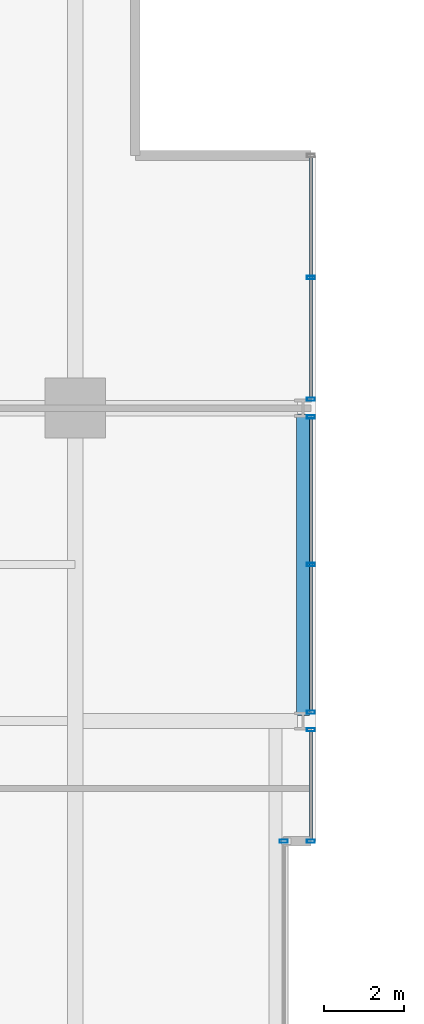
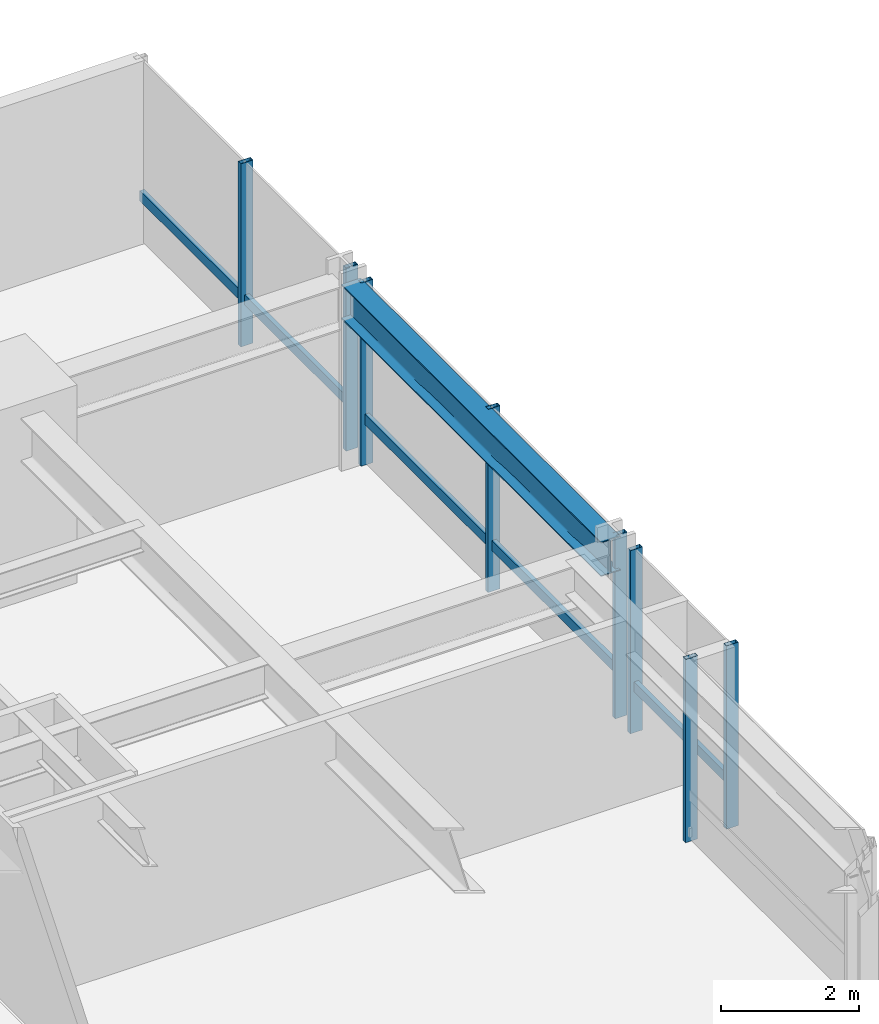
# One storey, part 24 of 34: 11 members, 1 beam, 4 elements without a shape of their own.
"""IFC4 building model written with IfcOpenShell, lengths in metres."""

import ifcopenshell
import ifcopenshell.guid

model = None  # the IFC model being written
_history = None  # IfcOwnerHistory: only IFC2X3 demands one
_inside = {}  # id of a spatial element -> (the spatial element, [elements in it])
_under = {}  # id of a project, library or spatial element -> (it, [spatial elements below it])
_declared = {}  # id of a project -> (the project, [libraries it declares])
_typed = {}  # id of a type object -> (the type object, [elements of that type])
_made_of = {}  # id of a material, layer set ... -> (it, [elements and type objects made of it])


def new_model(schema):
    """Start an empty IFC model of exactly this schema.

    Asked for "IFC4X3", IfcOpenShell would pick the latest addendum, in which some entities
    have other attributes; the version numbers below select the first issue.
    IFC2X3 requires an IfcOwnerHistory on every rooted entity: one is made here for all.
    """
    global model, _history
    if schema == "IFC4X3":
        model = ifcopenshell.file(schema_version=(4, 3, 0, 0))
    else:
        model = ifcopenshell.file(schema=schema)
    _inside.clear()
    _under.clear()
    _declared.clear()
    _typed.clear()
    _made_of.clear()
    _history = None
    if model.schema == "IFC2X3":
        org = make("IfcOrganization", Name="unknown")
        user = make(
            "IfcPersonAndOrganization",
            ThePerson=make("IfcPerson", FamilyName="unknown"),
            TheOrganization=org,
        )
        app = make(
            "IfcApplication",
            ApplicationDeveloper=org,
            Version="unknown",
            ApplicationFullName="unknown",
            ApplicationIdentifier="unknown",
        )
        _history = make(
            "IfcOwnerHistory",
            OwningUser=user,
            OwningApplication=app,
            ChangeAction="ADDED",
            CreationDate=0,
        )
    return model


def make(cls, **values):
    """One entity of the class cls with the attributes given. An attribute that is None is left unset."""
    return model.create_entity(
        cls, **{name: value for name, value in values.items() if value is not None}
    )


def rooted(cls, **values):
    """An entity with a GlobalId (a new one), such as an element, a storey or a relation."""
    return make(cls, GlobalId=ifcopenshell.guid.new(), OwnerHistory=_history, **values)


def si_unit(unit_type, name, prefix=None):
    """IfcSIUnit, for example si_unit("LENGTHUNIT", "METRE", prefix="MILLI")."""
    return make("IfcSIUnit", UnitType=unit_type, Prefix=prefix, Name=name)


def assignment(units):
    """IfcUnitAssignment: the units of a project."""
    return None if units is None else make("IfcUnitAssignment", Units=units)


def point(xyz):
    """IfcCartesianPoint."""
    return None if xyz is None else make("IfcCartesianPoint", Coordinates=xyz)


def direction(xyz):
    """IfcDirection."""
    return None if xyz is None else make("IfcDirection", DirectionRatios=xyz)


def frame(location, z_axis=None, x_axis=None):
    """IfcAxis2Placement3D, a coordinate frame: its origin and axes. An axis left out is left unset."""
    return make(
        "IfcAxis2Placement3D",
        Location=point(location),
        Axis=direction(z_axis),
        RefDirection=direction(x_axis),
    )


def frame_2d(location, x_axis=None):
    """IfcAxis2Placement2D, a coordinate frame in the plane: its origin and x axis."""
    return make(
        "IfcAxis2Placement2D", Location=point(location), RefDirection=direction(x_axis)
    )


def origin():
    """The frame at (0, 0, 0) with its axes left unset."""
    return frame((0.0, 0.0, 0.0))


def origin_2d():
    """The frame at (0, 0) in the plane with its x axis left unset."""
    return frame_2d((0.0, 0.0))


def place(relative_to, where):
    """IfcLocalPlacement: puts the frame where relative to a parent placement (None: the world)."""
    return make(
        "IfcLocalPlacement", PlacementRelTo=relative_to, RelativePlacement=where
    )


def context(
    kind, dimensions, precision=None, world=None, true_north=None, identifier=None
):
    """IfcGeometricRepresentationContext, for example the 3D "Model" context."""
    return make(
        "IfcGeometricRepresentationContext",
        ContextIdentifier=identifier,
        ContextType=kind,
        CoordinateSpaceDimension=dimensions,
        Precision=precision,
        WorldCoordinateSystem=world,
        TrueNorth=true_north,
    )


def subcontext(parent, identifier, kind, view, scale=None):
    """IfcGeometricRepresentationSubContext, for example "Body" below "Model"."""
    return make(
        "IfcGeometricRepresentationSubContext",
        ContextIdentifier=identifier,
        ContextType=kind,
        ParentContext=parent,
        TargetScale=scale,
        TargetView=view,
    )


def project(units=None, contexts=None):
    """IfcProject with its units and contexts."""
    return rooted(
        "IfcProject",
        Name="project",
        RepresentationContexts=contexts,
        UnitsInContext=assignment(units),
    )


def spatial(cls, under=None, at=None, **own):
    """A site, building, storey or space (cls), placed at a placement, below another one or the project."""
    s = rooted(cls, ObjectPlacement=at, **own)
    if under is not None:
        _under.setdefault(under.id(), (under, []))[1].append(s)
    return s


def profile(cls, at=None, kind="AREA", **sizes):
    """A parametric profile (cls). Its sizes go by their IFC names, for example OverallWidth=200.0."""
    return make(cls, ProfileType=kind, Position=at, **sizes)


def hollow_rectangle(**sizes):
    """IfcRectangleHollowProfileDef."""
    return profile("IfcRectangleHollowProfileDef", **sizes)


def i_section(**sizes):
    """IfcIShapeProfileDef."""
    return profile("IfcIShapeProfileDef", **sizes)


def extrude(swept, where, along, depth):
    """IfcExtrudedAreaSolid: the profile swept, set in the frame where, extruded along a direction by depth."""
    return make(
        "IfcExtrudedAreaSolid",
        SweptArea=swept,
        Position=where,
        ExtrudedDirection=direction(along),
        Depth=depth,
    )


def shape(context_of_items, identifier, shape_type, items):
    """IfcShapeRepresentation: the items that make up one representation, for example the "Body"."""
    return make(
        "IfcShapeRepresentation",
        ContextOfItems=context_of_items,
        RepresentationIdentifier=identifier,
        RepresentationType=shape_type,
        Items=items,
    )


def material(Name=None, Category=None):
    """IfcMaterial."""
    return make("IfcMaterial", Name=Name, Category=Category)


def layer(
    of_material, thickness, ventilated=None, Name=None, Category=None, Priority=None
):
    """IfcMaterialLayer: one layer of a wall or slab, of a material (None: an air gap)."""
    return make(
        "IfcMaterialLayer",
        Material=of_material,
        LayerThickness=thickness,
        IsVentilated=ventilated,
        Name=Name,
        Category=Category,
        Priority=Priority,
    )


def layer_set(layers, Name=None):
    """IfcMaterialLayerSet."""
    return make("IfcMaterialLayerSet", MaterialLayers=layers, LayerSetName=Name)


def material_profile(
    of_material, cross_section, Name=None, Category=None, Priority=None
):
    """IfcMaterialProfile: a cross section and its material."""
    return make(
        "IfcMaterialProfile",
        Name=Name,
        Material=of_material,
        Profile=cross_section,
        Priority=Priority,
        Category=Category,
    )


def profile_set(profiles, Name=None, composite=None):
    """IfcMaterialProfileSet."""
    return make(
        "IfcMaterialProfileSet",
        Name=Name,
        MaterialProfiles=profiles,
        CompositeProfile=composite,
    )


def made_of(thing, what):
    """Note that an element or type object is made of a material, layer set ...; save() writes the relation."""
    if what is not None:
        _made_of.setdefault(what.id(), (what, []))[1].append(thing)
    return thing


def type_object(cls, material=None, **own):
    """A type object (cls), such as IfcWallType, which elements share."""
    return made_of(rooted(cls, **own), material)


def element(
    cls,
    number,
    at=None,
    inside=None,
    cuts=None,
    type_object=None,
    material=None,
    context=None,
    identifier="Body",
    shape_type=None,
    held_by="IfcProductDefinitionShape",
    body=None,
    shapes=None,
    **own,
):
    """One element of the class cls, such as IfcWall. Its Tag is "e" and its number.

    at: its placement. inside: the storey or other place that contains it. cuts: it is an
    opening in that element (IfcRelVoidsElement). A single representation is given by context,
    identifier, shape_type and body (its items); several are given by shapes. held_by: the class
    of the entity that holds the representations. save() writes the other relations.
    """
    e = rooted(cls, Tag="e%d" % number, ObjectPlacement=at, **own)
    if body is not None:
        shapes = [shape(context, identifier, shape_type, body)]
    if shapes is not None:
        e.Representation = make(held_by, Representations=shapes)
    if inside is not None:
        _inside.setdefault(inside.id(), (inside, []))[1].append(e)
    if cuts is not None:
        rooted(
            "IfcRelVoidsElement", RelatingBuildingElement=cuts, RelatedOpeningElement=e
        )
    if type_object is not None:
        _typed.setdefault(type_object.id(), (type_object, []))[1].append(e)
    return made_of(e, material)


def aggregate(whole, parts):
    """IfcRelAggregates: a whole, such as a stair, and the parts it consists of."""
    return rooted("IfcRelAggregates", RelatingObject=whole, RelatedObjects=parts)


def save(model, path):
    """Write the relations noted so far, then the file.

    IfcRelAggregates (storeys below a building ...), IfcRelContainedInSpatialStructure (elements
    in a storey), IfcRelDefinesByType, IfcRelAssociatesMaterial and IfcRelDeclares: one each for
    every whole, place, type object, material and project.
    """
    for whole, parts in _under.values():
        aggregate(whole, parts)
    for where, things in _inside.values():
        rooted(
            "IfcRelContainedInSpatialStructure",
            RelatedElements=things,
            RelatingStructure=where,
        )
    for kind, things in _typed.values():
        rooted("IfcRelDefinesByType", RelatedObjects=things, RelatingType=kind)
    for what, things in _made_of.values():
        rooted("IfcRelAssociatesMaterial", RelatedObjects=things, RelatingMaterial=what)
    for by, libraries in _declared.values():
        rooted("IfcRelDeclares", RelatingContext=by, RelatedDefinitions=libraries)
    model.write(path)


model = new_model("IFC4")

# Units and contexts
model_context = context("Model", 3, precision=1e-05, world=origin(), true_north=direction((0.0, 1.0)))
body_context = subcontext(model_context, "Body", "Model", "MODEL_VIEW")
ifc_project = project(units=[si_unit("LENGTHUNIT", "METRE"), si_unit("AREAUNIT", "SQUARE_METRE"), si_unit("VOLUMEUNIT", "CUBIC_METRE"), si_unit("PLANEANGLEUNIT", "RADIAN"), si_unit("MASSUNIT", "GRAM", prefix="KILO")], contexts=[model_context])

# Site, building, storey
site_placement = place(None, origin())
site = spatial("IfcSite", under=ifc_project, at=site_placement, CompositionType="ELEMENT")
building_placement = place(site_placement, origin())
building = spatial("IfcBuilding", under=site, at=building_placement, Name="Drelvath Grand Hotel", CompositionType="ELEMENT")
storey_placement = place(building_placement, frame((0.0, 0.0, 116.300048828125)))
storey = spatial("IfcBuildingStorey", under=building, at=storey_placement, Name="L29", CompositionType="ELEMENT", Elevation=116.300048828125)

# Curtain wall, member
ifc_material_1 = material(Name="Champagne Bronze Anodised Aluminium Frame", Category="aluminium")
ifc_layer = layer(ifc_material_1, 0.199951171875)
ifc_layer_set = layer_set([ifc_layer], Name="Champagne Bronze Anodised Aluminium Frame")
curtain_wall_type = type_object("IfcCurtainWallType", Name="Stick Curtain Wall CW-03 Champagne Bronze Mid-Rise", PredefinedType="NOTDEFINED", material=ifc_layer_set)
curtain_wall_1_placement = place(storey_placement, origin())
curtain_wall_1 = element("IfcCurtainWall", 1, at=curtain_wall_1_placement, inside=storey, type_object=curtain_wall_type, Name="L29 CW-03 Curtain Wall CW03-L29-EN1", PredefinedType="NOTDEFINED")
ifc_material_profile_1 = material_profile(ifc_material_1, hollow_rectangle(XDim=0.074951171875, YDim=0.179931640625, WallThickness=0.0048828125, at=origin_2d()), Name="HSS180X75X5")
ifc_profile_set_1 = profile_set([ifc_material_profile_1], Name="Champagne Bronze Anodised Aluminium Frame")
member_type_1 = type_object("IfcMemberType", Name="Curtain Wall Horizontal Transom CW-03 HSS180X75X5", PredefinedType="USERDEFINED", material=ifc_profile_set_1)
member_1_placement = place(storey_placement, frame((22.080078125, 35.140380859375, 0.81005859375), z_axis=(0.0, -1.0, 0.0), x_axis=(1.0, 0.0, 0.0)))
member_1 = element("IfcMember", 2, at=member_1_placement, type_object=member_type_1, Name="CW03-L29-EN1 Sill Transom", ObjectType="TRANSOM", PredefinedType="USERDEFINED", context=body_context, shape_type="SweptSolid", body=[
    extrude(hollow_rectangle(XDim=0.074951171875, YDim=0.179931640625, WallThickness=0.0048828125, at=origin_2d()), origin(), (0.0, 0.0, 1.0), 2.700439453125),
])

curtain_wall_2_placement = place(storey_placement, origin())
curtain_wall_2 = element("IfcCurtainWall", 3, at=curtain_wall_2_placement, inside=storey, type_object=curtain_wall_type, Name="L29 CW-03 Curtain Wall CW03-L29-EN2", PredefinedType="NOTDEFINED")
member_2_placement = place(storey_placement, frame((22.080078125, 42.9404296875, 0.81005859375), z_axis=(0.0, -1.0, 0.0), x_axis=(1.0, 0.0, 0.0)))
member_2 = element("IfcMember", 4, at=member_2_placement, type_object=member_type_1, Name="CW03-L29-EN2 Sill Transom", ObjectType="TRANSOM", PredefinedType="USERDEFINED", context=body_context, shape_type="SweptSolid", body=[
    extrude(hollow_rectangle(XDim=0.074951171875, YDim=0.179931640625, WallThickness=0.0048828125, at=origin_2d()), origin(), (0.0, 0.0, 1.0), 7.28076171875),
])

curtain_wall_3_placement = place(storey_placement, origin())
curtain_wall_3 = element("IfcCurtainWall", 5, at=curtain_wall_3_placement, inside=storey, type_object=curtain_wall_type, Name="L29 CW-03 Curtain Wall CW03-L29-EN3", PredefinedType="NOTDEFINED")
member_3_placement = place(storey_placement, frame((22.080078125, 49.4599609375, 0.81005859375), z_axis=(0.0, -1.0, 0.0), x_axis=(1.0, 0.0, 0.0)))
member_3 = element("IfcMember", 6, at=member_3_placement, type_object=member_type_1, Name="CW03-L29-EN3 Sill Transom", ObjectType="TRANSOM", PredefinedType="USERDEFINED", context=body_context, shape_type="SweptSolid", body=[
    extrude(hollow_rectangle(XDim=0.074951171875, YDim=0.179931640625, WallThickness=0.0048828125, at=origin_2d()), origin(), (0.0, 0.0, 1.0), 6.000244140625),
])

# Member
ifc_material_profile_2 = material_profile(ifc_material_1, hollow_rectangle(XDim=0.080078125, YDim=0.199951171875, WallThickness=0.0048828125, at=origin_2d()), Name="HSS200X80X5")
ifc_profile_set_2 = profile_set([ifc_material_profile_2], Name="Champagne Bronze Anodised Aluminium Frame")
member_type_2 = type_object("IfcMemberType", Name="Curtain Wall Vertical Mullion CW-03 HSS200X80X5", PredefinedType="MULLION", material=ifc_profile_set_2)
member_4_placement = place(storey_placement, frame((22.080078125, 35.180419921875, 0.0), z_axis=(0.0, 0.0, 1.0), x_axis=(0.0, 1.0, 0.0)))
member_4 = element("IfcMember", 7, at=member_4_placement, type_object=member_type_2, Name="CW03-L29-EN1 Mullion 1", PredefinedType="MULLION", context=body_context, shape_type="SweptSolid", body=[
    extrude(hollow_rectangle(XDim=0.080078125, YDim=0.199951171875, WallThickness=0.0048828125, at=origin_2d()), origin(), (0.0, 0.0, 1.0), 3.239990234375),
])

member_5_placement = place(storey_placement, frame((22.080078125, 32.39990234375, 0.0), z_axis=(0.0, 0.0, 1.0), x_axis=(0.0, 1.0, 0.0)))
member_5 = element("IfcMember", 8, at=member_5_placement, type_object=member_type_2, Name="CW03-L29-EN1 Mullion 2", PredefinedType="MULLION", context=body_context, shape_type="SweptSolid", body=[
    extrude(hollow_rectangle(XDim=0.080078125, YDim=0.199951171875, WallThickness=0.0048828125, at=origin_2d()), origin(), (0.0, 0.0, 1.0), 3.239990234375),
])

aggregate(curtain_wall_1, [member_4, member_5, member_1])

member_6_placement = place(storey_placement, frame((22.080078125, 42.98046875, 0.0), z_axis=(0.0, 0.0, 1.0), x_axis=(0.0, 1.0, 0.0)))
member_6 = element("IfcMember", 9, at=member_6_placement, type_object=member_type_2, Name="CW03-L29-EN2 Mullion 1", PredefinedType="MULLION", context=body_context, shape_type="SweptSolid", body=[
    extrude(hollow_rectangle(XDim=0.080078125, YDim=0.199951171875, WallThickness=0.0048828125, at=origin_2d()), origin(), (0.0, 0.0, 1.0), 3.239990234375),
])

member_7_placement = place(storey_placement, frame((22.080078125, 39.300048828125, 0.0), z_axis=(0.0, 0.0, 1.0), x_axis=(0.0, 1.0, 0.0)))
member_7 = element("IfcMember", 10, at=member_7_placement, type_object=member_type_2, Name="CW03-L29-EN2 Mullion 2", PredefinedType="MULLION", context=body_context, shape_type="SweptSolid", body=[
    extrude(hollow_rectangle(XDim=0.080078125, YDim=0.199951171875, WallThickness=0.0048828125, at=origin_2d()), origin(), (0.0, 0.0, 1.0), 3.239990234375),
])

member_8_placement = place(storey_placement, frame((22.080078125, 35.61962890625, 0.0), z_axis=(0.0, 0.0, 1.0), x_axis=(0.0, 1.0, 0.0)))
member_8 = element("IfcMember", 11, at=member_8_placement, type_object=member_type_2, Name="CW03-L29-EN2 Mullion 3", PredefinedType="MULLION", context=body_context, shape_type="SweptSolid", body=[
    extrude(hollow_rectangle(XDim=0.080078125, YDim=0.199951171875, WallThickness=0.0048828125, at=origin_2d()), origin(), (0.0, 0.0, 1.0), 3.239990234375),
])

aggregate(curtain_wall_2, [member_6, member_7, member_8, member_2])

member_9_placement = place(storey_placement, frame((22.080078125, 46.459716796875, 0.0), z_axis=(0.0, 0.0, 1.0), x_axis=(0.0, 1.0, 0.0)))
member_9 = element("IfcMember", 12, at=member_9_placement, type_object=member_type_2, Name="CW03-L29-EN3 Mullion 2", PredefinedType="MULLION", context=body_context, shape_type="SweptSolid", body=[
    extrude(hollow_rectangle(XDim=0.080078125, YDim=0.199951171875, WallThickness=0.0048828125, at=origin_2d()), origin(), (0.0, 0.0, 1.0), 3.239990234375),
])

member_10_placement = place(storey_placement, frame((22.080078125, 43.419677734375, 0.0), z_axis=(0.0, 0.0, 1.0), x_axis=(0.0, 1.0, 0.0)))
member_10 = element("IfcMember", 13, at=member_10_placement, type_object=member_type_2, Name="CW03-L29-EN3 Mullion 3", PredefinedType="MULLION", context=body_context, shape_type="SweptSolid", body=[
    extrude(hollow_rectangle(XDim=0.080078125, YDim=0.199951171875, WallThickness=0.0048828125, at=origin_2d()), origin(), (0.0, 0.0, 1.0), 3.239990234375),
])

aggregate(curtain_wall_3, [member_9, member_10, member_3])

# Curtain wall, member
curtain_wall_4_placement = place(storey_placement, origin())
curtain_wall_4 = element("IfcCurtainWall", 14, at=curtain_wall_4_placement, inside=storey, type_object=curtain_wall_type, Name="L29 CW-03 Curtain Wall CW03-L29-EM2", PredefinedType="NOTDEFINED")
member_11_placement = place(storey_placement, frame((21.39990234375, 32.39990234375, 0.0), z_axis=(0.0, 0.0, 1.0), x_axis=(0.0, 1.0, 0.0)))
member_11 = element("IfcMember", 15, at=member_11_placement, type_object=member_type_2, Name="CW03-L29-EM2 Mullion 1", PredefinedType="MULLION", context=body_context, shape_type="SweptSolid", body=[
    extrude(hollow_rectangle(XDim=0.080078125, YDim=0.199951171875, WallThickness=0.0048828125, at=origin_2d()), origin(), (0.0, 0.0, 1.0), 3.239990234375),
])
aggregate(curtain_wall_4, [member_11])

# Beam
ifc_material_2 = material(Name="Steel ASTM A992 Gr 50", Category="steel")
ifc_material_profile_3 = material_profile(ifc_material_2, i_section(OverallWidth=0.323974609375, OverallDepth=0.611083984375, WebThickness=0.0126953125, FlangeThickness=0.01904296875, FilletRadius=0.02197265625, at=origin_2d()), Name="W24X104")
ifc_profile_set_3 = profile_set([ifc_material_profile_3], Name="Steel ASTM A992 Gr 50")
beam_type = type_object("IfcBeamType", Name="Perimeter Spandrel Beam W24X104", PredefinedType="SPANDREL", material=ifc_profile_set_3)
beam_placement = place(storey_placement, frame((21.8798828125, 35.5400390625, 2.9345703125), z_axis=(0.0, 1.0, 0.0), x_axis=(-1.0, 0.0, 0.0)))
element("IfcBeam", 16, at=beam_placement, inside=storey, type_object=beam_type, Name="L29 Spandrel East N", PredefinedType="SPANDREL", context=body_context, shape_type="SweptSolid", body=[
    extrude(i_section(OverallWidth=0.323974609375, OverallDepth=0.611083984375, WebThickness=0.0126953125, FlangeThickness=0.01904296875, FilletRadius=0.02197265625, at=origin_2d()), origin(), (0.0, 0.0, 1.0), 7.52001953125),
])

save(model, "model.ifc")
